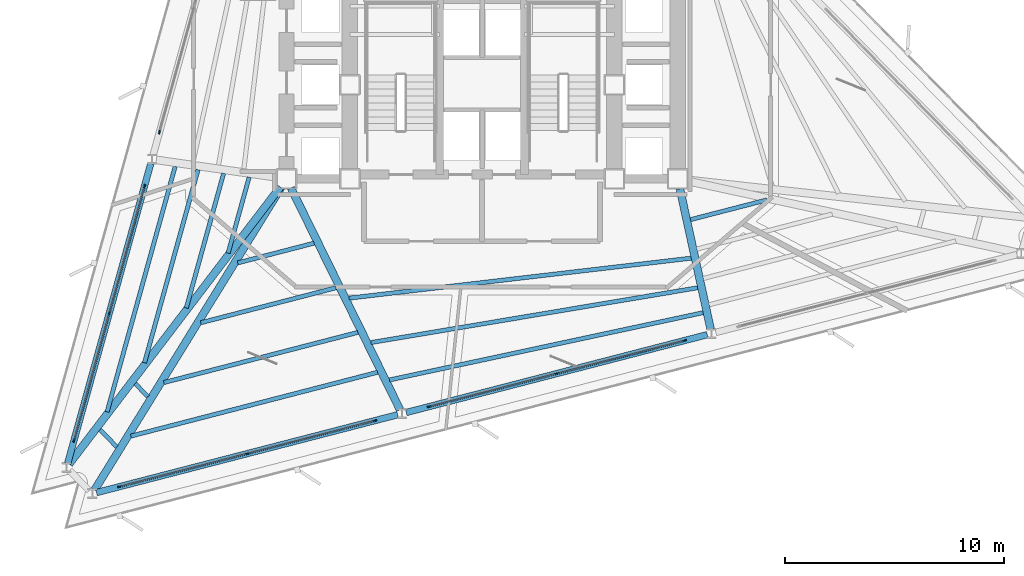
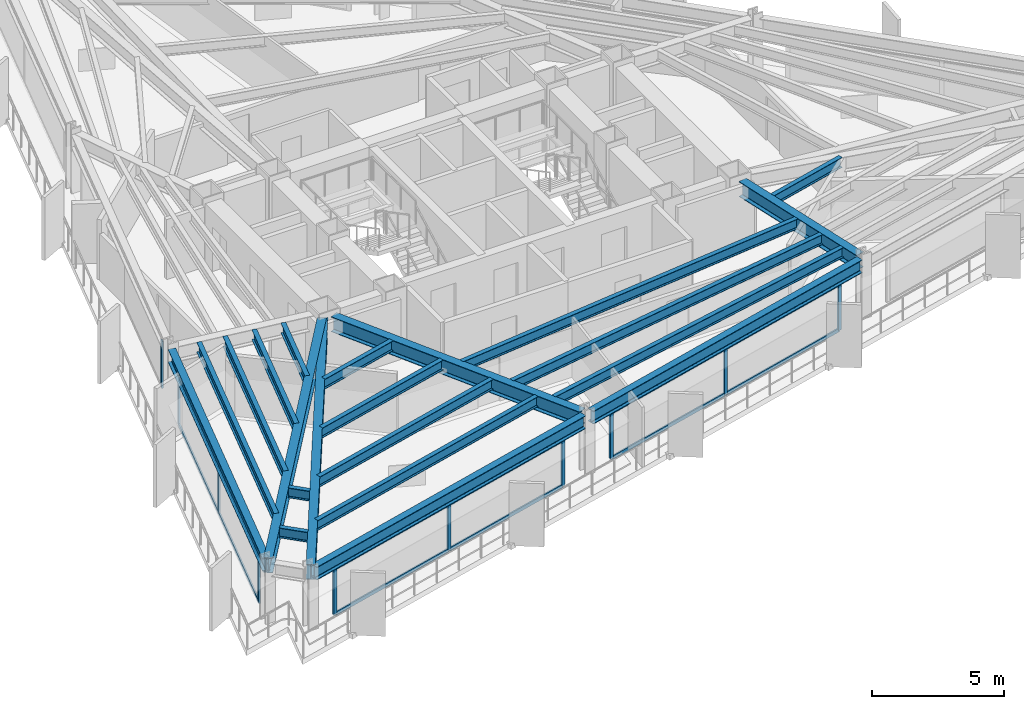
# One storey, part 2 of 11: 22 members, 21 beams, 4 elements without a shape of their own.
"""IFC4 building model written with IfcOpenShell, lengths in metres."""

from ifc_helpers import new_model, si_unit, direction, frame, origin, origin_2d, place, context, subcontext, project, spatial, rectangle, i_section, extrude, material, layer, layer_set, material_profile, profile_set, type_object, element, aggregate, save


model = new_model("IFC4")

# Units and contexts
model_context = context("Model", 3, precision=1e-05, world=origin(), true_north=direction((0.0, 1.0)))
body_context = subcontext(model_context, "Body", "Model", "MODEL_VIEW")
ifc_project = project(units=[si_unit("LENGTHUNIT", "METRE"), si_unit("AREAUNIT", "SQUARE_METRE"), si_unit("VOLUMEUNIT", "CUBIC_METRE"), si_unit("PLANEANGLEUNIT", "RADIAN"), si_unit("MASSUNIT", "GRAM", prefix="KILO")], contexts=[model_context])

# Site, building, storey
site_placement = place(None, origin())
site = spatial("IfcSite", under=ifc_project, at=site_placement, CompositionType="ELEMENT")
building_placement = place(site_placement, origin())
building = spatial("IfcBuilding", under=site, at=building_placement, Name="Rocaltana Carrier Exchange", CompositionType="ELEMENT")
storey_placement = place(building_placement, frame((0.0, 0.0, 85.60009765625)))
storey = spatial("IfcBuildingStorey", under=building, at=storey_placement, Name="L26", CompositionType="ELEMENT", Elevation=85.60009765625)

# Curtain wall, member
ifc_material_1 = material(Name="Aluminium 6063-T6", Category="aluminium")
ifc_layer = layer(ifc_material_1, 0.1650390625)
ifc_layer_set = layer_set([ifc_layer], Name="Aluminium 6063-T6")
curtain_wall_type = type_object("IfcCurtainWallType", Name="Lower-Mid Stepped Curtain Wall CW-02", PredefinedType="NOTDEFINED", material=ifc_layer_set)
curtain_wall_1_placement = place(storey_placement, origin())
curtain_wall_1 = element("IfcCurtainWall", 1, at=curtain_wall_1_placement, inside=storey, type_object=curtain_wall_type, Name="L26 CW-02 Run CW-L26-F2S2", PredefinedType="NOTDEFINED")
ifc_material_2 = material(Name="Aluminium 6063-T6", Category="aluminium")
ifc_material_profile_1 = material_profile(ifc_material_2, rectangle(XDim=0.06494140625, YDim=0.1650390625, at=origin_2d()), Name="AL-65X165")
ifc_profile_set_1 = profile_set([ifc_material_profile_1], Name="Aluminium 6063-T6")
member_type_1 = type_object("IfcMemberType", Name="CW-02 Mullion AL-65X165", PredefinedType="MULLION", material=ifc_profile_set_1)
member_1_placement = place(storey_placement, frame((-14.761962890625, -2.16796875, 0.0), z_axis=(0.0, 0.0, 1.0), x_axis=(0.963630586954, -0.267237893807, 0.0)))
member_1 = element("IfcMember", 2, at=member_1_placement, type_object=member_type_1, Name="CW-02 mullion 3", PredefinedType="MULLION", context=body_context, shape_type="SweptSolid", body=[
    extrude(rectangle(XDim=0.06494140625, YDim=0.1650390625, at=origin_2d()), origin(), (0.0, 0.0, 1.0), 2.16796875),
])
aggregate(curtain_wall_1, [member_1])

# Curtain wall, members
curtain_wall_2_placement = place(storey_placement, origin())
curtain_wall_2 = element("IfcCurtainWall", 3, at=curtain_wall_2_placement, inside=storey, type_object=curtain_wall_type, Name="L26 CW-02 Run CW-L26-F2S3", PredefinedType="NOTDEFINED")
member_2_placement = place(storey_placement, frame((-15.447265625, -4.6396484375, 0.0), z_axis=(0.0, 0.0, 1.0), x_axis=(0.963629053146, -0.267243424491, 0.0)))
member_2 = element("IfcMember", 4, at=member_2_placement, type_object=member_type_1, Name="CW-02 mullion 1", PredefinedType="MULLION", context=body_context, shape_type="SweptSolid", body=[
    extrude(rectangle(XDim=0.06494140625, YDim=0.1650390625, at=origin_2d()), origin(), (0.0, 0.0, 1.0), 2.16796875),
])
member_3_placement = place(storey_placement, frame((-17.059814453125, -10.45458984375, 0.0), z_axis=(0.0, 0.0, 1.0), x_axis=(0.963629053146, -0.267243424491, 0.0)))
member_3 = element("IfcMember", 5, at=member_3_placement, type_object=member_type_1, Name="CW-02 mullion 2", PredefinedType="MULLION", context=body_context, shape_type="SweptSolid", body=[
    extrude(rectangle(XDim=0.06494140625, YDim=0.1650390625, at=origin_2d()), origin(), (0.0, 0.0, 1.0), 2.16796875),
])
member_4_placement = place(storey_placement, frame((-18.672607421875, -16.269287109375, 0.0), z_axis=(0.0, 0.0, 1.0), x_axis=(0.963629053146, -0.267243424491, 0.0)))
member_4 = element("IfcMember", 6, at=member_4_placement, type_object=member_type_1, Name="CW-02 mullion 3", PredefinedType="MULLION", context=body_context, shape_type="SweptSolid", body=[
    extrude(rectangle(XDim=0.06494140625, YDim=0.1650390625, at=origin_2d()), origin(), (0.0, 0.0, 1.0), 2.16796875),
])

curtain_wall_3_placement = place(storey_placement, origin())
curtain_wall_3 = element("IfcCurtainWall", 7, at=curtain_wall_3_placement, inside=storey, type_object=curtain_wall_type, Name="L26 CW-02 Run CW-L26-F3S1", PredefinedType="NOTDEFINED")
member_5_placement = place(storey_placement, frame((-16.592529296875, -18.3857421875, 0.0), z_axis=(0.0, 0.0, 1.0), x_axis=(-0.250377760692, 0.968148220548, 0.0)))
member_5 = element("IfcMember", 8, at=member_5_placement, type_object=member_type_1, Name="CW-02 mullion 1", PredefinedType="MULLION", context=body_context, shape_type="SweptSolid", body=[
    extrude(rectangle(XDim=0.06494140625, YDim=0.1650390625, at=origin_2d()), origin(), (0.0, 0.0, 1.0), 2.16796875),
])
member_6_placement = place(storey_placement, frame((-10.75048828125, -16.874755859375, 0.0), z_axis=(0.0, 0.0, 1.0), x_axis=(-0.250377760692, 0.968148220548, 0.0)))
member_6 = element("IfcMember", 9, at=member_6_placement, type_object=member_type_1, Name="CW-02 mullion 2", PredefinedType="MULLION", context=body_context, shape_type="SweptSolid", body=[
    extrude(rectangle(XDim=0.06494140625, YDim=0.1650390625, at=origin_2d()), origin(), (0.0, 0.0, 1.0), 2.16796875),
])
member_7_placement = place(storey_placement, frame((-4.90869140625, -15.364013671875, 0.0), z_axis=(0.0, 0.0, 1.0), x_axis=(-0.250377760692, 0.968148220548, 0.0)))
member_7 = element("IfcMember", 10, at=member_7_placement, type_object=member_type_1, Name="CW-02 mullion 3", PredefinedType="MULLION", context=body_context, shape_type="SweptSolid", body=[
    extrude(rectangle(XDim=0.06494140625, YDim=0.1650390625, at=origin_2d()), origin(), (0.0, 0.0, 1.0), 2.16796875),
])

curtain_wall_4_placement = place(storey_placement, origin())
curtain_wall_4 = element("IfcCurtainWall", 11, at=curtain_wall_4_placement, inside=storey, type_object=curtain_wall_type, Name="L26 CW-02 Run CW-L26-F3S2", PredefinedType="NOTDEFINED")
member_8_placement = place(storey_placement, frame((-2.42529296875, -14.7216796875, 0.0), z_axis=(0.0, 0.0, 1.0), x_axis=(-0.250377760692, 0.968148220548, 0.0)))
member_8 = element("IfcMember", 12, at=member_8_placement, type_object=member_type_1, Name="CW-02 mullion 1", PredefinedType="MULLION", context=body_context, shape_type="SweptSolid", body=[
    extrude(rectangle(XDim=0.06494140625, YDim=0.1650390625, at=origin_2d()), origin(), (0.0, 0.0, 1.0), 2.16796875),
])
member_9_placement = place(storey_placement, frame((3.41650390625, -13.2109375, 0.0), z_axis=(0.0, 0.0, 1.0), x_axis=(-0.250377760692, 0.968148220548, 0.0)))
member_9 = element("IfcMember", 13, at=member_9_placement, type_object=member_type_1, Name="CW-02 mullion 2", PredefinedType="MULLION", context=body_context, shape_type="SweptSolid", body=[
    extrude(rectangle(XDim=0.06494140625, YDim=0.1650390625, at=origin_2d()), origin(), (0.0, 0.0, 1.0), 2.16796875),
])
member_10_placement = place(storey_placement, frame((9.258544921875, -11.7001953125, 0.0), z_axis=(0.0, 0.0, 1.0), x_axis=(-0.250377760692, 0.968148220548, 0.0)))
member_10 = element("IfcMember", 14, at=member_10_placement, type_object=member_type_1, Name="CW-02 mullion 3", PredefinedType="MULLION", context=body_context, shape_type="SweptSolid", body=[
    extrude(rectangle(XDim=0.06494140625, YDim=0.1650390625, at=origin_2d()), origin(), (0.0, 0.0, 1.0), 2.16796875),
])

# Member
ifc_material_3 = material(Name="Aluminium 6063-T6", Category="aluminium")
ifc_material_profile_2 = material_profile(ifc_material_3, rectangle(XDim=0.06494140625, YDim=0.1650390625, at=origin_2d()), Name="AL-65X165")
ifc_profile_set_2 = profile_set([ifc_material_profile_2], Name="Aluminium 6063-T6")
member_type_2 = type_object("IfcMemberType", Name="CW-02 Transom AL-65X165", PredefinedType="USERDEFINED", material=ifc_profile_set_2)
member_11_placement = place(storey_placement, frame((-15.4560546875, -4.671142578125, 0.032470703125), z_axis=(-0.26724725359, -0.963627991213, 0.0), x_axis=(0.963627991213, -0.26724725359, 0.0)))
member_11 = element("IfcMember", 15, at=member_11_placement, type_object=member_type_2, Name="CW-02 transom 1.1", ObjectType="TRANSOM", PredefinedType="USERDEFINED", context=body_context, shape_type="SweptSolid", body=[
    extrude(rectangle(XDim=0.06494140625, YDim=0.1650390625, at=origin_2d()), origin(), (0.0, 0.0, 1.0), 5.968994140625),
])

member_12_placement = place(storey_placement, frame((-15.4560546875, -4.671142578125, 2.135498046875), z_axis=(-0.26724725359, -0.963627991213, 0.0), x_axis=(0.963627991213, -0.26724725359, 0.0)))
member_12 = element("IfcMember", 16, at=member_12_placement, type_object=member_type_2, Name="CW-02 transom 1.2", ObjectType="TRANSOM", PredefinedType="USERDEFINED", context=body_context, shape_type="SweptSolid", body=[
    extrude(rectangle(XDim=0.06494140625, YDim=0.1650390625, at=origin_2d()), origin(), (0.0, 0.0, 1.0), 5.968994140625),
])

member_13_placement = place(storey_placement, frame((-17.068603515625, -10.48583984375, 0.032470703125), z_axis=(-0.267236720875, -0.963630912235, 0.0), x_axis=(0.963630912235, -0.267236720875, 0.0)))
member_13 = element("IfcMember", 17, at=member_13_placement, type_object=member_type_2, Name="CW-02 transom 2.1", ObjectType="TRANSOM", PredefinedType="USERDEFINED", context=body_context, shape_type="SweptSolid", body=[
    extrude(rectangle(XDim=0.06494140625, YDim=0.1650390625, at=origin_2d()), origin(), (0.0, 0.0, 1.0), 5.96923828125),
])

member_14_placement = place(storey_placement, frame((-17.068603515625, -10.48583984375, 2.135498046875), z_axis=(-0.267236720875, -0.963630912235, 0.0), x_axis=(0.963630912235, -0.267236720875, 0.0)))
member_14 = element("IfcMember", 18, at=member_14_placement, type_object=member_type_2, Name="CW-02 transom 2.2", ObjectType="TRANSOM", PredefinedType="USERDEFINED", context=body_context, shape_type="SweptSolid", body=[
    extrude(rectangle(XDim=0.06494140625, YDim=0.1650390625, at=origin_2d()), origin(), (0.0, 0.0, 1.0), 5.96923828125),
])

aggregate(curtain_wall_2, [member_2, member_3, member_4, member_11, member_12, member_13, member_14])

member_15_placement = place(storey_placement, frame((-16.56103515625, -18.37744140625, 0.032470703125), z_axis=(0.968154945337, 0.250351756175, 0.0), x_axis=(-0.250351756175, 0.968154945337, 0.0)))
member_15 = element("IfcMember", 19, at=member_15_placement, type_object=member_type_2, Name="CW-02 transom 1.1", ObjectType="TRANSOM", PredefinedType="USERDEFINED", context=body_context, shape_type="SweptSolid", body=[
    extrude(rectangle(XDim=0.06494140625, YDim=0.1650390625, at=origin_2d()), origin(), (0.0, 0.0, 1.0), 5.96923828125),
])

member_16_placement = place(storey_placement, frame((-16.56103515625, -18.37744140625, 2.135498046875), z_axis=(0.968154945337, 0.250351756175, 0.0), x_axis=(-0.250351756175, 0.968154945337, 0.0)))
member_16 = element("IfcMember", 20, at=member_16_placement, type_object=member_type_2, Name="CW-02 transom 1.2", ObjectType="TRANSOM", PredefinedType="USERDEFINED", context=body_context, shape_type="SweptSolid", body=[
    extrude(rectangle(XDim=0.06494140625, YDim=0.1650390625, at=origin_2d()), origin(), (0.0, 0.0, 1.0), 5.96923828125),
])

member_17_placement = place(storey_placement, frame((-10.71923828125, -16.86669921875, 0.032470703125), z_axis=(0.968145031253, 0.250390092575, 0.0), x_axis=(-0.250390092575, 0.968145031253, 0.0)))
member_17 = element("IfcMember", 21, at=member_17_placement, type_object=member_type_2, Name="CW-02 transom 2.1", ObjectType="TRANSOM", PredefinedType="USERDEFINED", context=body_context, shape_type="SweptSolid", body=[
    extrude(rectangle(XDim=0.06494140625, YDim=0.1650390625, at=origin_2d()), origin(), (0.0, 0.0, 1.0), 5.96923828125),
])

member_18_placement = place(storey_placement, frame((-10.71923828125, -16.86669921875, 2.135498046875), z_axis=(0.968145031253, 0.250390092575, 0.0), x_axis=(-0.250390092575, 0.968145031253, 0.0)))
member_18 = element("IfcMember", 22, at=member_18_placement, type_object=member_type_2, Name="CW-02 transom 2.2", ObjectType="TRANSOM", PredefinedType="USERDEFINED", context=body_context, shape_type="SweptSolid", body=[
    extrude(rectangle(XDim=0.06494140625, YDim=0.1650390625, at=origin_2d()), origin(), (0.0, 0.0, 1.0), 5.96923828125),
])

aggregate(curtain_wall_3, [member_5, member_6, member_7, member_15, member_16, member_17, member_18])

member_19_placement = place(storey_placement, frame((-2.393798828125, -14.713623046875, 0.032470703125), z_axis=(0.968145031253, 0.250390092575, 0.0), x_axis=(-0.250390092575, 0.968145031253, 0.0)))
member_19 = element("IfcMember", 23, at=member_19_placement, type_object=member_type_2, Name="CW-02 transom 1.1", ObjectType="TRANSOM", PredefinedType="USERDEFINED", context=body_context, shape_type="SweptSolid", body=[
    extrude(rectangle(XDim=0.06494140625, YDim=0.1650390625, at=origin_2d()), origin(), (0.0, 0.0, 1.0), 5.96923828125),
])

member_20_placement = place(storey_placement, frame((-2.393798828125, -14.713623046875, 2.135498046875), z_axis=(0.968145031253, 0.250390092575, 0.0), x_axis=(-0.250390092575, 0.968145031253, 0.0)))
member_20 = element("IfcMember", 24, at=member_20_placement, type_object=member_type_2, Name="CW-02 transom 1.2", ObjectType="TRANSOM", PredefinedType="USERDEFINED", context=body_context, shape_type="SweptSolid", body=[
    extrude(rectangle(XDim=0.06494140625, YDim=0.1650390625, at=origin_2d()), origin(), (0.0, 0.0, 1.0), 5.96923828125),
])

member_21_placement = place(storey_placement, frame((3.447998046875, -13.202880859375, 0.032470703125), z_axis=(0.968145031253, 0.250390092575, 0.0), x_axis=(-0.250390092575, 0.968145031253, 0.0)))
member_21 = element("IfcMember", 25, at=member_21_placement, type_object=member_type_2, Name="CW-02 transom 2.1", ObjectType="TRANSOM", PredefinedType="USERDEFINED", context=body_context, shape_type="SweptSolid", body=[
    extrude(rectangle(XDim=0.06494140625, YDim=0.1650390625, at=origin_2d()), origin(), (0.0, 0.0, 1.0), 5.96923828125),
])

member_22_placement = place(storey_placement, frame((3.447998046875, -13.202880859375, 2.135498046875), z_axis=(0.968145031253, 0.250390092575, 0.0), x_axis=(-0.250390092575, 0.968145031253, 0.0)))
member_22 = element("IfcMember", 26, at=member_22_placement, type_object=member_type_2, Name="CW-02 transom 2.2", ObjectType="TRANSOM", PredefinedType="USERDEFINED", context=body_context, shape_type="SweptSolid", body=[
    extrude(rectangle(XDim=0.06494140625, YDim=0.1650390625, at=origin_2d()), origin(), (0.0, 0.0, 1.0), 5.96923828125),
])

aggregate(curtain_wall_4, [member_8, member_9, member_10, member_19, member_20, member_21, member_22])

# Beams
ifc_material_4 = material(Name="Steel S355", Category="steel")
ifc_material_profile_3 = material_profile(ifc_material_4, i_section(OverallWidth=0.193115234375, OverallDepth=0.466064453125, WebThickness=0.011474609375, FlangeThickness=0.01904296875, FilletRadius=0.013916015625, at=origin_2d()), Name="W18X65")
ifc_profile_set_3 = profile_set([ifc_material_profile_3], Name="Steel S355")
beam_type_1 = type_object("IfcBeamType", Name="Floor Joist W18X65", PredefinedType="JOIST", material=ifc_profile_set_3)
beam_1_placement = place(storey_placement, frame((-10.65771484375, -4.223388671875, 2.554931640625), z_axis=(-0.267214572506, -0.963637054207, 0.0), x_axis=(0.963637054207, -0.267214572506, 0.0)))
element("IfcBeam", 27, at=beam_1_placement, inside=storey, type_object=beam_type_1, Name="FJ-L26-07-1", PredefinedType="JOIST", context=body_context, shape_type="SweptSolid", body=[
    extrude(i_section(OverallWidth=0.193115234375, OverallDepth=0.466064453125, WebThickness=0.011474609375, FlangeThickness=0.01904296875, FilletRadius=0.013916015625, at=origin_2d()), origin(), (0.0, 0.0, 1.0), 3.60791015625),
])
beam_2_placement = place(storey_placement, frame((-11.826904296875, -4.052978515625, 2.554931640625), z_axis=(-0.267247660275, -0.963627878425, 0.0), x_axis=(0.963627878425, -0.267247660275, 0.0)))
element("IfcBeam", 28, at=beam_2_placement, inside=storey, type_object=beam_type_1, Name="FJ-L26-07-2", PredefinedType="JOIST", context=body_context, shape_type="SweptSolid", body=[
    extrude(i_section(OverallWidth=0.193115234375, OverallDepth=0.466064453125, WebThickness=0.011474609375, FlangeThickness=0.01904296875, FilletRadius=0.013916015625, at=origin_2d()), origin(), (0.0, 0.0, 1.0), 6.388427734375),
])
beam_3_placement = place(storey_placement, frame((-12.996337890625, -3.8828125, 2.554931640625), z_axis=(-0.267235954776, -0.963631124692, 0.0), x_axis=(0.963631124692, -0.267235954776, 0.0)))
element("IfcBeam", 29, at=beam_3_placement, inside=storey, type_object=beam_type_1, Name="FJ-L26-07-3", PredefinedType="JOIST", context=body_context, shape_type="SweptSolid", body=[
    extrude(i_section(OverallWidth=0.193115234375, OverallDepth=0.466064453125, WebThickness=0.011474609375, FlangeThickness=0.01904296875, FilletRadius=0.013916015625, at=origin_2d()), origin(), (0.0, 0.0, 1.0), 9.168701171875),
])
beam_4_placement = place(storey_placement, frame((-14.04248046875, -3.73046875, 2.554931640625), z_axis=(-0.267254953873, -0.963625855626, 0.0), x_axis=(0.963625855626, -0.267254953873, 0.0)))
element("IfcBeam", 30, at=beam_4_placement, inside=storey, type_object=beam_type_1, Name="FJ-L26-07-4", PredefinedType="JOIST", context=body_context, shape_type="SweptSolid", body=[
    extrude(i_section(OverallWidth=0.193115234375, OverallDepth=0.466064453125, WebThickness=0.011474609375, FlangeThickness=0.01904296875, FilletRadius=0.013916015625, at=origin_2d()), origin(), (0.0, 0.0, 1.0), 11.656494140625),
])
beam_5_placement = place(storey_placement, frame((-15.87548828125, -13.666015625, 2.554931640625), z_axis=(0.700949450069, -0.713210956484, 0.0), x_axis=(0.713210956484, 0.700949450069, 0.0)))
element("IfcBeam", 31, at=beam_5_placement, inside=storey, type_object=beam_type_1, Name="FJ-L26-08-3", PredefinedType="JOIST", context=body_context, shape_type="SweptSolid", body=[
    extrude(i_section(OverallWidth=0.193115234375, OverallDepth=0.466064453125, WebThickness=0.011474609375, FlangeThickness=0.01904296875, FilletRadius=0.013916015625, at=origin_2d()), origin(), (0.0, 0.0, 1.0), 0.836181640625),
])
beam_6_placement = place(storey_placement, frame((-17.48583984375, -15.77880859375, 2.554931640625), z_axis=(0.70100898123, -0.713152443896, 0.0), x_axis=(0.713152443896, 0.70100898123, 0.0)))
element("IfcBeam", 32, at=beam_6_placement, inside=storey, type_object=beam_type_1, Name="FJ-L26-08-4", PredefinedType="JOIST", context=body_context, shape_type="SweptSolid", body=[
    extrude(i_section(OverallWidth=0.193115234375, OverallDepth=0.466064453125, WebThickness=0.011474609375, FlangeThickness=0.01904296875, FilletRadius=0.013916015625, at=origin_2d()), origin(), (0.0, 0.0, 1.0), 1.105712890625),
])
beam_7_placement = place(storey_placement, frame((-11.1826171875, -8.14697265625, 2.554931640625), z_axis=(0.968131920636, 0.250440779917, 0.0), x_axis=(-0.250440779917, 0.968131920636, 0.0)))
element("IfcBeam", 33, at=beam_7_placement, inside=storey, type_object=beam_type_1, Name="FJ-L26-09-1", PredefinedType="JOIST", context=body_context, shape_type="SweptSolid", body=[
    extrude(i_section(OverallWidth=0.193115234375, OverallDepth=0.466064453125, WebThickness=0.011474609375, FlangeThickness=0.01904296875, FilletRadius=0.013916015625, at=origin_2d()), origin(), (0.0, 0.0, 1.0), 3.60791015625),
])
beam_8_placement = place(storey_placement, frame((-12.87060546875, -10.88427734375, 2.554931640625), z_axis=(0.968143557315, 0.250395791558, 0.0), x_axis=(-0.250395791558, 0.968143557315, 0.0)))
element("IfcBeam", 34, at=beam_8_placement, inside=storey, type_object=beam_type_1, Name="FJ-L26-09-2", PredefinedType="JOIST", context=body_context, shape_type="SweptSolid", body=[
    extrude(i_section(OverallWidth=0.193115234375, OverallDepth=0.466064453125, WebThickness=0.011474609375, FlangeThickness=0.01904296875, FilletRadius=0.013916015625, at=origin_2d()), origin(), (0.0, 0.0, 1.0), 6.388427734375),
])
beam_9_placement = place(storey_placement, frame((-14.55859375, -13.62158203125, 2.554931640625), z_axis=(0.968140011266, 0.250409501786, 0.0), x_axis=(-0.250409501786, 0.968140011266, 0.0)))
element("IfcBeam", 35, at=beam_9_placement, inside=storey, type_object=beam_type_1, Name="FJ-L26-09-3", PredefinedType="JOIST", context=body_context, shape_type="SweptSolid", body=[
    extrude(i_section(OverallWidth=0.193115234375, OverallDepth=0.466064453125, WebThickness=0.011474609375, FlangeThickness=0.01904296875, FilletRadius=0.013916015625, at=origin_2d()), origin(), (0.0, 0.0, 1.0), 9.16845703125),
])
beam_10_placement = place(storey_placement, frame((-16.069091796875, -16.070556640625, 2.554931640625), z_axis=(0.968149362607, 0.250373344596, 0.0), x_axis=(-0.250373344596, 0.968149362607, 0.0)))
element("IfcBeam", 36, at=beam_10_placement, inside=storey, type_object=beam_type_1, Name="FJ-L26-09-4", PredefinedType="JOIST", context=body_context, shape_type="SweptSolid", body=[
    extrude(i_section(OverallWidth=0.193115234375, OverallDepth=0.466064453125, WebThickness=0.011474609375, FlangeThickness=0.01904296875, FilletRadius=0.013916015625, at=origin_2d()), origin(), (0.0, 0.0, 1.0), 11.656494140625),
])
beam_11_placement = place(storey_placement, frame((-6.085205078125, -9.759033203125, 2.554931640625), z_axis=(0.993245745527, 0.116029690132, 0.0), x_axis=(-0.116029690132, 0.993245745527, 0.0)))
element("IfcBeam", 37, at=beam_11_placement, inside=storey, type_object=beam_type_1, Name="FJ-L26-10-2", PredefinedType="JOIST", context=body_context, shape_type="SweptSolid", body=[
    extrude(i_section(OverallWidth=0.193115234375, OverallDepth=0.466064453125, WebThickness=0.011474609375, FlangeThickness=0.01904296875, FilletRadius=0.013916015625, at=origin_2d()), origin(), (0.0, 0.0, 1.0), 15.761962890625),
])
beam_12_placement = place(storey_placement, frame((-5.082763671875, -11.791748046875, 2.554931640625), z_axis=(0.986215738721, 0.165464548161, 0.0), x_axis=(-0.165464548161, 0.986215738721, 0.0)))
element("IfcBeam", 38, at=beam_12_placement, inside=storey, type_object=beam_type_1, Name="FJ-L26-10-3", PredefinedType="JOIST", context=body_context, shape_type="SweptSolid", body=[
    extrude(i_section(OverallWidth=0.193115234375, OverallDepth=0.466064453125, WebThickness=0.011474609375, FlangeThickness=0.01904296875, FilletRadius=0.013916015625, at=origin_2d()), origin(), (0.0, 0.0, 1.0), 15.15771484375),
])
beam_13_placement = place(storey_placement, frame((-4.239013671875, -13.5029296875, 2.554931640625), z_axis=(0.977758587701, 0.209733507519, 0.0), x_axis=(-0.209733507519, 0.977758587701, 0.0)))
element("IfcBeam", 39, at=beam_13_placement, inside=storey, type_object=beam_type_1, Name="FJ-L26-10-4", PredefinedType="JOIST", context=body_context, shape_type="SweptSolid", body=[
    extrude(i_section(OverallWidth=0.193115234375, OverallDepth=0.466064453125, WebThickness=0.011474609375, FlangeThickness=0.01904296875, FilletRadius=0.013916015625, at=origin_2d()), origin(), (0.0, 0.0, 1.0), 14.680908203125),
])
beam_14_placement = place(storey_placement, frame((9.53466796875, -6.16845703125, 2.554931640625), z_axis=(0.968131920636, 0.250440779917, 0.0), x_axis=(-0.250440779917, 0.968131920636, 0.0)))
element("IfcBeam", 40, at=beam_14_placement, inside=storey, type_object=beam_type_1, Name="FJ-L26-11-1", PredefinedType="JOIST", context=body_context, shape_type="SweptSolid", body=[
    extrude(i_section(OverallWidth=0.193115234375, OverallDepth=0.466064453125, WebThickness=0.011474609375, FlangeThickness=0.01904296875, FilletRadius=0.013916015625, at=origin_2d()), origin(), (0.0, 0.0, 1.0), 3.60791015625),
])
ifc_material_5 = material(Name="Steel S355", Category="steel")
ifc_material_profile_4 = material_profile(ifc_material_5, i_section(OverallWidth=0.35498046875, OverallDepth=0.695068359375, WebThickness=0.015380859375, FlangeThickness=0.02490234375, FilletRadius=0.01806640625, at=origin_2d()), Name="W27X146")
ifc_profile_set_4 = profile_set([ifc_material_profile_4], Name="Steel S355")
beam_type_2 = type_object("IfcBeamType", Name="Radial Girder W27X146", PredefinedType="BEAM", material=ifc_profile_set_4)
beam_15_placement = place(storey_placement, frame((-9.233154296875, -4.67138671875, 2.4404296875), z_axis=(-0.606198298247, -0.795313537671, 0.0), x_axis=(0.795313537671, -0.606198298247, 0.0)))
element("IfcBeam", 41, at=beam_15_placement, inside=storey, type_object=beam_type_2, Name="RG-L26-08", PredefinedType="BEAM", context=body_context, shape_type="SweptSolid", body=[
    extrude(i_section(OverallWidth=0.35498046875, OverallDepth=0.695068359375, WebThickness=0.015380859375, FlangeThickness=0.02490234375, FilletRadius=0.01806640625, at=origin_2d()), origin(), (0.0, 0.0, 1.0), 15.935546875),
])
beam_16_placement = place(storey_placement, frame((-9.195068359375, -4.697509765625, 2.4404296875), z_axis=(-0.524896499974, -0.851166061539, 0.0), x_axis=(0.851166061539, -0.524896499974, 0.0)))
element("IfcBeam", 42, at=beam_16_placement, inside=storey, type_object=beam_type_2, Name="RG-L26-09", PredefinedType="BEAM", context=body_context, shape_type="SweptSolid", body=[
    extrude(i_section(OverallWidth=0.35498046875, OverallDepth=0.695068359375, WebThickness=0.015380859375, FlangeThickness=0.02490234375, FilletRadius=0.01806640625, at=origin_2d()), origin(), (0.0, 0.0, 1.0), 16.2578125),
])
beam_17_placement = place(storey_placement, frame((-8.743896484375, -4.718994140625, 2.4404296875), z_axis=(0.441294565668, -0.897362304932, 0.0), x_axis=(0.897362304932, 0.441294565668, 0.0)))
element("IfcBeam", 43, at=beam_17_placement, inside=storey, type_object=beam_type_2, Name="RG-L26-10", PredefinedType="BEAM", context=body_context, shape_type="SweptSolid", body=[
    extrude(i_section(OverallWidth=0.35498046875, OverallDepth=0.695068359375, WebThickness=0.015380859375, FlangeThickness=0.02490234375, FilletRadius=0.01806640625, at=origin_2d()), origin(), (0.0, 0.0, 1.0), 11.3037109375),
])
beam_18_placement = place(storey_placement, frame((9.0498046875, -4.756103515625, 2.4404296875), z_axis=(0.213939245944, -0.976846968079, 0.0), x_axis=(0.976846968079, 0.213939245944, 0.0)))
element("IfcBeam", 44, at=beam_18_placement, inside=storey, type_object=beam_type_2, Name="RG-L26-11", PredefinedType="BEAM", context=body_context, shape_type="SweptSolid", body=[
    extrude(i_section(OverallWidth=0.35498046875, OverallDepth=0.695068359375, WebThickness=0.015380859375, FlangeThickness=0.02490234375, FilletRadius=0.01806640625, at=origin_2d()), origin(), (0.0, 0.0, 1.0), 6.578857421875),
])
ifc_material_6 = material(Name="Steel S355", Category="steel")
ifc_material_profile_5 = material_profile(ifc_material_6, i_section(OverallWidth=0.300048828125, OverallDepth=0.60009765625, WebThickness=0.015380859375, FlangeThickness=0.030029296875, FilletRadius=0.027099609375, at=origin_2d()), Name="HEB600")
ifc_profile_set_5 = profile_set([ifc_material_profile_5], Name="Steel S355")
beam_type_3 = type_object("IfcBeamType", Name="Spandrel Edge Beam HEB600", PredefinedType="SPANDREL", material=ifc_profile_set_5)
beam_19_placement = place(storey_placement, frame((-15.158203125, -3.59765625, 2.48779296875), z_axis=(-0.267244796471, -0.963628672653, 0.0), x_axis=(0.963628672653, -0.267244796471, 0.0)))
element("IfcBeam", 45, at=beam_19_placement, inside=storey, type_object=beam_type_3, Name="SP-L26-07", PredefinedType="SPANDREL", context=body_context, shape_type="SweptSolid", body=[
    extrude(i_section(OverallWidth=0.300048828125, OverallDepth=0.60009765625, WebThickness=0.015380859375, FlangeThickness=0.030029296875, FilletRadius=0.027099609375, at=origin_2d()), origin(), (0.0, 0.0, 1.0), 14.231201171875),
])
for number, where, z_axis, x_axis, name in (
    (46, (-17.6396484375, -18.656494140625, 2.48779296875), (0.968147987083, 0.250378663444, 0.0), (-0.250378663444, 0.968147987083, 0.0), "SP-L26-09"),
    (47, (-3.472412109375, -14.99267578125, 2.48779296875), (0.968143828509, 0.250394742995, 0.0), (-0.250394742995, 0.968143828509, 0.0), "SP-L26-10"),
):
    element("IfcBeam", number, at=place(storey_placement, frame(where, z_axis=z_axis, x_axis=x_axis)), inside=storey, type_object=beam_type_3, Name=name, PredefinedType="SPANDREL", context=body_context, shape_type="SweptSolid", body=[
        extrude(i_section(OverallWidth=0.300048828125, OverallDepth=0.60009765625, WebThickness=0.015380859375, FlangeThickness=0.030029296875, FilletRadius=0.027099609375, at=origin_2d()), origin(), (0.0, 0.0, 1.0), 14.2314453125),
    ])

save(model, "model.ifc")
